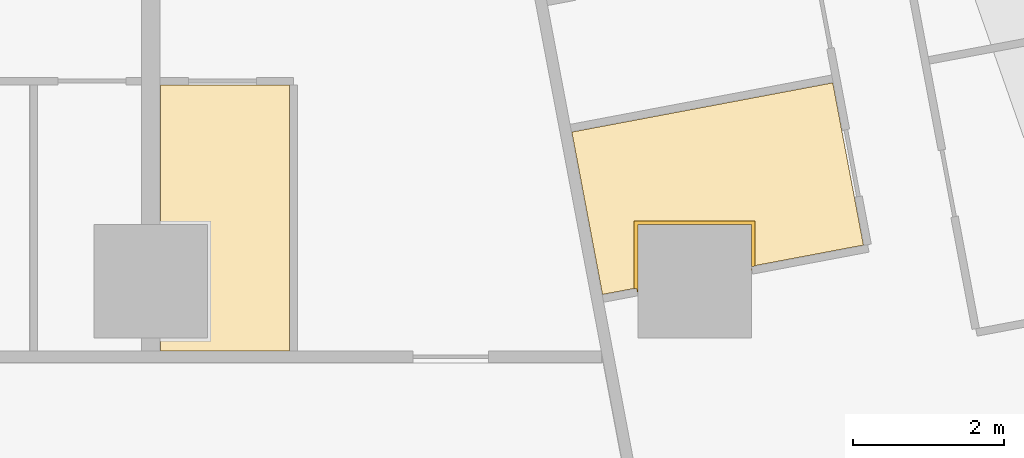
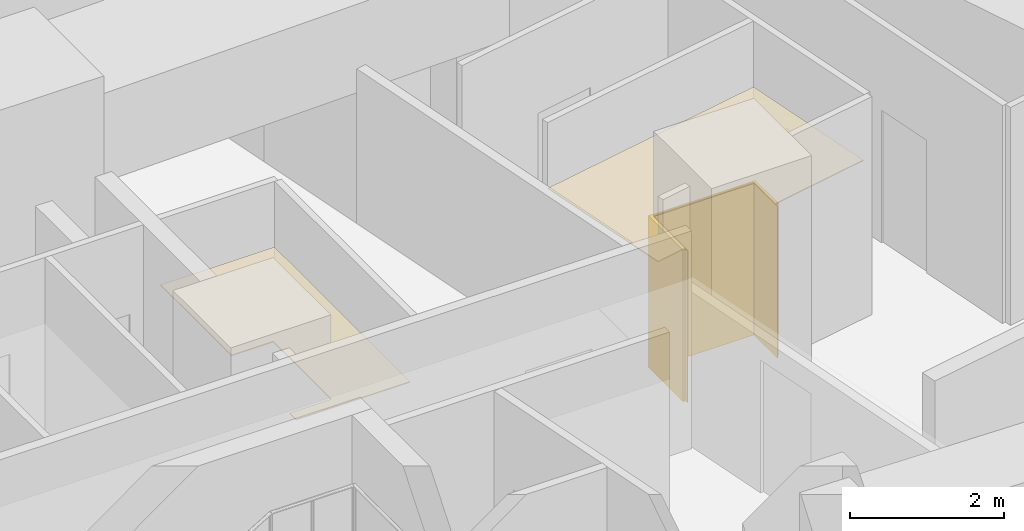
# One storey, part 15 of 15: 3 coverings.
"""IFC4 building model written with IfcOpenShell, lengths in metres."""

from ifc_helpers import new_model, si_unit, direction, frame, origin, place, context, subcontext, project, spatial, polyline, outline, extrude, material, layer, layer_set, type_object, element, save


model = new_model("IFC4")

# Units and contexts
model_context = context("Model", 3, precision=1e-05, world=origin(), true_north=direction((0.0, 1.0)))
body_context = subcontext(model_context, "Body", "Model", "MODEL_VIEW")
ifc_project = project(units=[si_unit("LENGTHUNIT", "METRE"), si_unit("AREAUNIT", "SQUARE_METRE"), si_unit("VOLUMEUNIT", "CUBIC_METRE"), si_unit("PLANEANGLEUNIT", "RADIAN"), si_unit("MASSUNIT", "GRAM", prefix="KILO")], contexts=[model_context])

# Site, building, storey
site_placement = place(None, origin())
site = spatial("IfcSite", under=ifc_project, at=site_placement, CompositionType="ELEMENT")
building_placement = place(site_placement, origin())
building = spatial("IfcBuilding", under=site, at=building_placement, Name="Sheger Commons Tower", CompositionType="ELEMENT")
storey_placement = place(building_placement, frame((0.0, 0.0, 184.550048828125)))
storey = spatial("IfcBuildingStorey", under=building, at=storey_placement, Name="L47", CompositionType="ELEMENT", Elevation=184.550048828125)

# Coverings
ifc_material_1 = material(Name="Moisture-resistant gypsum plasterboard 15 mm on a suspended galvanised steel grid", Category="steel")
ifc_layer_1 = layer(ifc_material_1, 0.014892578125)
ifc_layer_set_1 = layer_set([ifc_layer_1], Name="MOISTURE-RESISTANT CEILING 15")
covering_type_1 = type_object("IfcCoveringType", Name="MOISTURE-RESISTANT CEILING 15", PredefinedType="CEILING", material=ifc_layer_set_1)
covering_1_placement = place(storey_placement, frame((0.0, 0.0, 2.39990234375)))
element("IfcCovering", 1, at=covering_1_placement, inside=storey, type_object=covering_type_1, Name="L47-08.B1 ceiling", PredefinedType="CEILING", context=body_context, shape_type="SweptSolid", body=[
    extrude(outline(polyline([(34.780029296875, 37.325927734375), (35.235107421875, 37.412109375), (35.242919921875, 37.368896484375), (35.2451171875, 37.368896484375), (35.2451171875, 38.2548828125), (36.7548828125, 38.2548828125), (36.7548828125, 37.698974609375), (38.23388671875, 37.97900390625), (37.827880859375, 40.126953125), (34.3740234375, 39.47509765625), (34.780029296875, 37.325927734375)])), origin(), (0.0, 0.0, 1.0), 0.01513671875),
])
covering_2_placement = place(storey_placement, frame((0.0, 0.0, 2.39990234375)))
element("IfcCovering", 2, at=covering_2_placement, inside=storey, type_object=covering_type_1, Name="L47-14.B1 ceiling", PredefinedType="CEILING", context=body_context, shape_type="SweptSolid", body=[
    extrude(outline(polyline([(28.929931640625, 36.580078125), (30.635009765625, 36.580078125), (30.635009765625, 40.094970703125), (28.929931640625, 40.094970703125), (28.929931640625, 38.2548828125), (29.554931640625, 38.2548828125), (29.554931640625, 36.7451171875), (28.929931640625, 36.7451171875), (28.929931640625, 36.580078125)])), origin(), (0.0, 0.0, 1.0), 0.01513671875),
])
ifc_material_2 = material(Name="Moisture-resistant gypsum board 12.5 mm on 25 mm treated timber battens, tanked and tiled", Category="wood")
ifc_layer_2 = layer(ifc_material_2, 0.050048828125)
ifc_layer_set_2 = layer_set([ifc_layer_2], Name="WET-ROOM COLUMN LINING")
covering_type_2 = type_object("IfcCoveringType", Name="WET-ROOM COLUMN LINING", PredefinedType="CLADDING", material=ifc_layer_set_2)
covering_3_placement = place(storey_placement, origin())
element("IfcCovering", 3, at=covering_3_placement, inside=storey, type_object=covering_type_2, Name="Bathroom column lining C10 L47", PredefinedType="CLADDING", context=body_context, shape_type="SweptSolid", body=[
    extrude(outline(polyline([(36.800048828125, 38.300048828125), (36.800048828125, 37.701904296875), (36.7509765625, 37.693115234375), (36.760009765625, 37.64404296875), (36.75, 37.64208984375), (36.75, 38.25), (35.25, 38.25), (35.25, 37.35888671875), (35.239990234375, 37.35693359375), (35.23095703125, 37.406005859375), (35.199951171875, 37.39990234375), (35.199951171875, 38.300048828125), (36.800048828125, 38.300048828125)])), origin(), (0.0, 0.0, 1.0), 2.39990234375),
])

save(model, "model.ifc")
